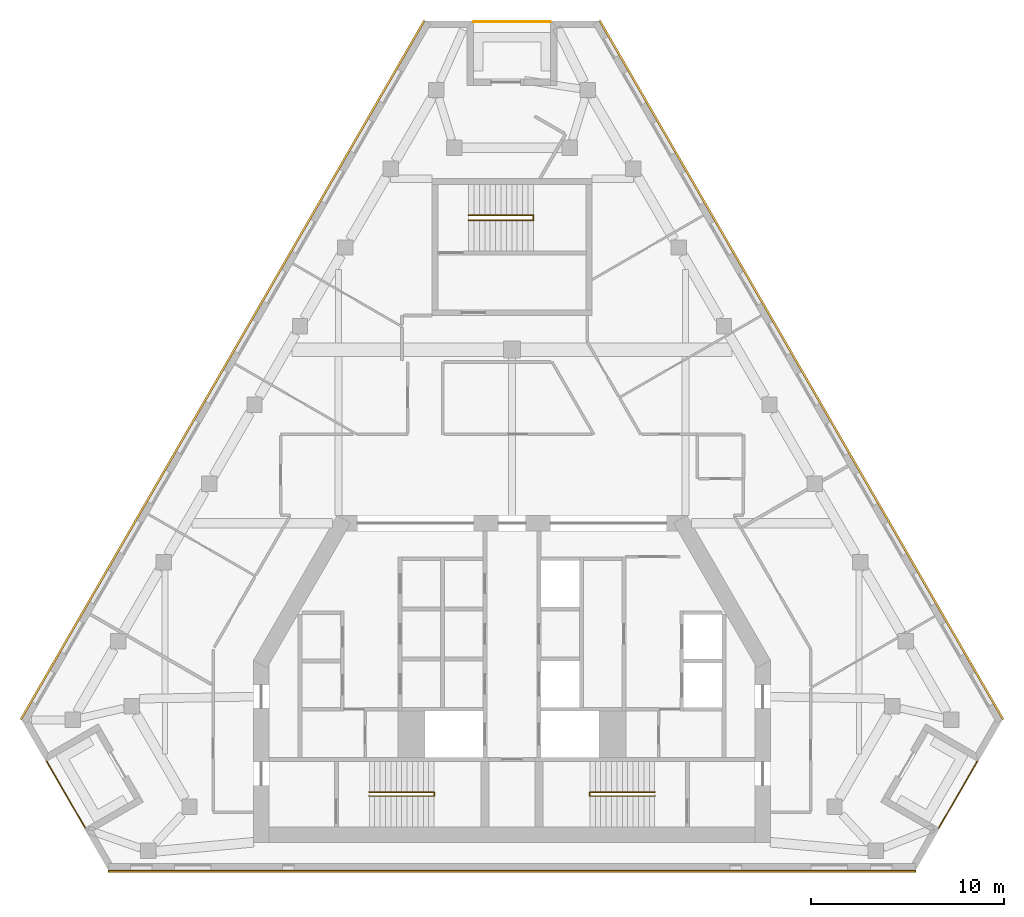
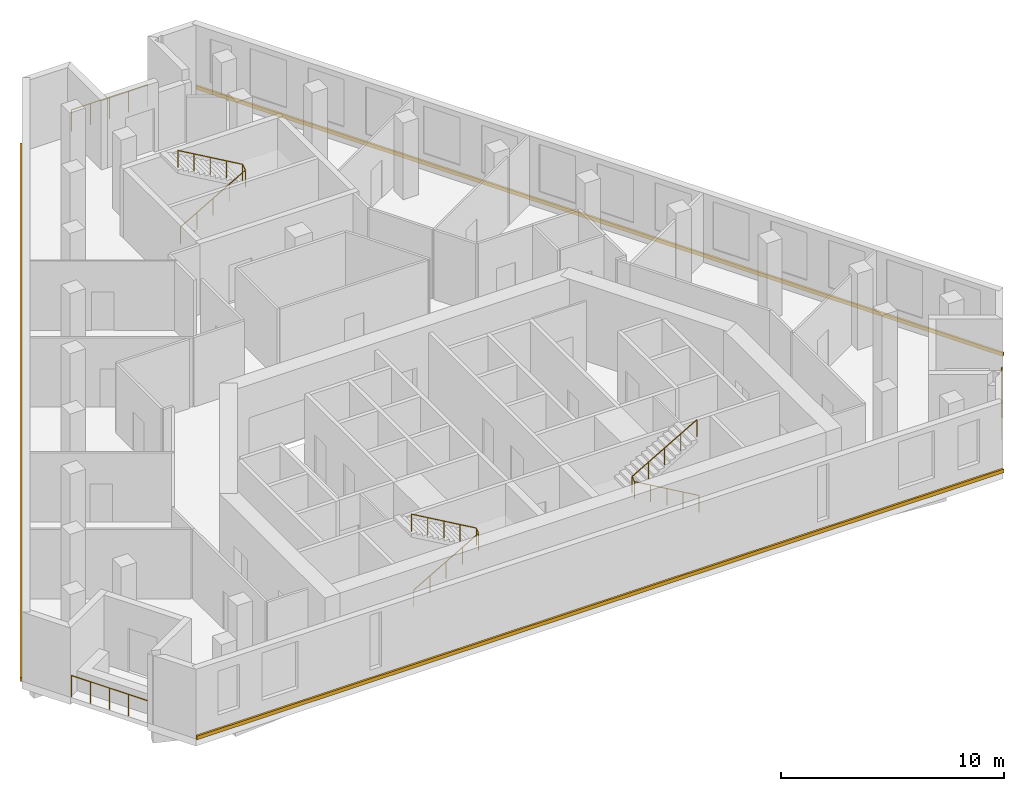
# One storey, part 9 of 9: 6 railings, 3 coverings.
"""IFC4 building model written with IfcOpenShell, lengths in metres."""

from ifc_helpers import new_model, si_unit, direction, frame, origin, origin_2d, place, context, subcontext, project, spatial, polyline, circle, outline, extrude, material, type_object, element, save


model = new_model("IFC4")

# Units and contexts
model_context = context("Model", 3, precision=1e-05, world=origin(), true_north=direction((0.0, 1.0)))
body_context = subcontext(model_context, "Body", "Model", "MODEL_VIEW")
ifc_project = project(units=[si_unit("LENGTHUNIT", "METRE"), si_unit("AREAUNIT", "SQUARE_METRE"), si_unit("VOLUMEUNIT", "CUBIC_METRE"), si_unit("PLANEANGLEUNIT", "RADIAN"), si_unit("MASSUNIT", "GRAM", prefix="KILO")], contexts=[model_context])

# Site, building, storey
site_placement = place(None, origin())
site = spatial("IfcSite", under=ifc_project, at=site_placement, CompositionType="ELEMENT")
building_placement = place(site_placement, origin())
building = spatial("IfcBuilding", under=site, at=building_placement, Name="Fogline Exchange Tower", CompositionType="ELEMENT")
storey_placement = place(building_placement, frame((0.0, 0.0, 283.5)))
storey = spatial("IfcBuildingStorey", under=building, at=storey_placement, Name="L64", CompositionType="ELEMENT", Elevation=283.5)

# Railings
ifc_material_1 = material(Name="Stainless steel 304", Category="steel")
railing_type_1 = type_object("IfcRailingType", Name="G1", PredefinedType="GUARDRAIL", material=ifc_material_1)
railing_1_placement = place(storey_placement, frame((-24.120849609375, 5.635986328125, 0.0)))
element("IfcRailing", 1, at=railing_1_placement, inside=storey, type_object=railing_type_1, Name="Balcony guard L64 SW", PredefinedType="GUARDRAIL", context=body_context, shape_type="SweptSolid", body=[
    extrude(circle(Radius=0.02392578125, at=origin_2d()), frame((0.0, 0.0, 1.17578125), z_axis=(0.500000102728, -0.866025344474, 0.0), x_axis=(0.866025344474, 0.500000102728, 0.0)), (0.0, 0.0, 1.0), 3.9580078125),
    extrude(circle(Radius=0.02099609375, at=origin_2d()), origin(), (0.0, 0.0, 1.0), 1.15185546875),
    extrude(circle(Radius=0.02099609375, at=origin_2d()), frame((0.49462890625, -0.85693359375, 0.0)), (0.0, 0.0, 1.0), 1.15185546875),
    extrude(circle(Radius=0.02099609375, at=origin_2d()), frame((0.989501953125, -1.7138671875, 0.0)), (0.0, 0.0, 1.0), 1.15185546875),
    extrude(circle(Radius=0.02099609375, at=origin_2d()), frame((1.484375, -2.57080078125, 0.0)), (0.0, 0.0, 1.0), 1.15185546875),
    extrude(circle(Radius=0.02099609375, at=origin_2d()), frame((1.97900390625, -3.427734375, 0.0)), (0.0, 0.0, 1.0), 1.15185546875),
])
railing_2_placement = place(storey_placement, frame((22.141845703125, 2.208251953125, 0.0)))
element("IfcRailing", 2, at=railing_2_placement, inside=storey, type_object=railing_type_1, Name="Balcony guard L64 SE", PredefinedType="GUARDRAIL", context=body_context, shape_type="SweptSolid", body=[
    extrude(circle(Radius=0.02392578125, at=origin_2d()), frame((0.0, 0.0, 1.17578125), z_axis=(0.500000102728, 0.866025344474, 0.0), x_axis=(-0.866025344474, 0.500000102728, 0.0)), (0.0, 0.0, 1.0), 3.9580078125),
    extrude(circle(Radius=0.02099609375, at=origin_2d()), origin(), (0.0, 0.0, 1.0), 1.15185546875),
    extrude(circle(Radius=0.02099609375, at=origin_2d()), frame((0.49462890625, 0.85693359375, 0.0)), (0.0, 0.0, 1.0), 1.15185546875),
    extrude(circle(Radius=0.02099609375, at=origin_2d()), frame((0.989501953125, 1.7138671875, 0.0)), (0.0, 0.0, 1.0), 1.15185546875),
    extrude(circle(Radius=0.02099609375, at=origin_2d()), frame((1.484375, 2.57080078125, 0.0)), (0.0, 0.0, 1.0), 1.15185546875),
    extrude(circle(Radius=0.02099609375, at=origin_2d()), frame((1.97900390625, 3.427734375, 0.0)), (0.0, 0.0, 1.0), 1.15185546875),
])
railing_3_placement = place(storey_placement, frame((1.97900390625, 43.98681640625, 0.0)))
element("IfcRailing", 3, at=railing_3_placement, inside=storey, type_object=railing_type_1, Name="Balcony guard L64 N", PredefinedType="GUARDRAIL", context=body_context, shape_type="SweptSolid", body=[
    extrude(circle(Radius=0.02392578125, at=origin_2d()), frame((0.0, 0.0, 1.17578125), z_axis=(-1.0, 0.0, 0.0), x_axis=(0.0, -1.0, 0.0)), (0.0, 0.0, 1.0), 3.9580078125),
    extrude(circle(Radius=0.02099609375, at=origin_2d()), origin(), (0.0, 0.0, 1.0), 1.15185546875),
    extrude(circle(Radius=0.02099609375, at=origin_2d()), frame((-0.989501953125, 0.0, 0.0)), (0.0, 0.0, 1.0), 1.15185546875),
    extrude(circle(Radius=0.02099609375, at=origin_2d()), frame((-1.97900390625, 0.0, 0.0)), (0.0, 0.0, 1.0), 1.15185546875),
    extrude(circle(Radius=0.02099609375, at=origin_2d()), frame((-2.968505859375, 0.0, 0.0)), (0.0, 0.0, 1.0), 1.15185546875),
    extrude(circle(Radius=0.02099609375, at=origin_2d()), frame((-3.9580078125, 0.0, 0.0)), (0.0, 0.0, 1.0), 1.15185546875),
])
ifc_material_2 = material(Name="Steel Q235B", Category="steel")
railing_type_2 = type_object("IfcRailingType", Name="RL-HR", PredefinedType="HANDRAIL", material=ifc_material_2)
railing_4_placement = place(storey_placement, frame((-7.39990234375, 3.85009765625, 0.16162109375)))
element("IfcRailing", 4, at=railing_4_placement, inside=storey, type_object=railing_type_2, Name="Handrail ST1", PredefinedType="HANDRAIL", context=body_context, shape_type="SweptSolid", body=[
    extrude(circle(Radius=0.02392578125, at=origin_2d()), frame((0.0, 0.0, 0.92578125), z_axis=(0.866175107563, 0.0, 0.499740615757), x_axis=(0.0, 1.0, 0.0)), (0.0, 0.0, 1.0), 3.87890625),
    extrude(circle(Radius=0.02392578125, at=origin_2d()), frame((3.35986328125, 0.0, 2.8642578125), z_axis=(0.0, 0.778173348306, 0.628049552174), x_axis=(-1.0, 0.0, 0.0)), (0.0, 0.0, 1.0), 0.2568359375),
    extrude(circle(Radius=0.02392578125, at=origin_2d()), frame((3.35986328125, 0.199951171875, 3.02587890625), z_axis=(-0.866175107563, 0.0, 0.499740615757), x_axis=(0.0, -1.0, 0.0)), (0.0, 0.0, 1.0), 3.87890625),
    extrude(circle(Radius=0.02099609375, at=origin_2d()), origin(), (0.0, 0.0, 1.0), 0.90185546875),
    extrude(circle(Radius=0.02099609375, at=origin_2d()), frame((0.83984375, 0.0, 0.484619140625)), (0.0, 0.0, 1.0), 0.90185546875),
    extrude(circle(Radius=0.02099609375, at=origin_2d()), frame((1.679931640625, 0.0, 0.96923828125)), (0.0, 0.0, 1.0), 0.90185546875),
    extrude(circle(Radius=0.02099609375, at=origin_2d()), frame((2.52001953125, 0.0, 1.453857421875)), (0.0, 0.0, 1.0), 0.90185546875),
    extrude(circle(Radius=0.02099609375, at=origin_2d()), frame((3.35986328125, 0.0, 1.9384765625)), (0.0, 0.0, 1.0), 0.90185546875),
    extrude(circle(Radius=0.02099609375, at=origin_2d()), frame((3.35986328125, 0.199951171875, 2.099853515625)), (0.0, 0.0, 1.0), 0.90185546875),
    extrude(circle(Radius=0.02099609375, at=origin_2d()), frame((2.52001953125, 0.199951171875, 2.58447265625)), (0.0, 0.0, 1.0), 0.90185546875),
    extrude(circle(Radius=0.02099609375, at=origin_2d()), frame((1.679931640625, 0.199951171875, 3.069091796875)), (0.0, 0.0, 1.0), 0.90185546875),
    extrude(circle(Radius=0.02099609375, at=origin_2d()), frame((0.83984375, 0.199951171875, 3.5537109375)), (0.0, 0.0, 1.0), 0.90185546875),
    extrude(circle(Radius=0.02099609375, at=origin_2d()), frame((0.0, 0.199951171875, 4.038330078125)), (0.0, 0.0, 1.0), 0.90185546875),
])
railing_5_placement = place(storey_placement, frame((7.39990234375, 3.85009765625, 0.16162109375)))
element("IfcRailing", 5, at=railing_5_placement, inside=storey, type_object=railing_type_2, Name="Handrail ST2", PredefinedType="HANDRAIL", context=body_context, shape_type="SweptSolid", body=[
    extrude(circle(Radius=0.02392578125, at=origin_2d()), frame((0.0, 0.0, 0.92578125), z_axis=(-0.866175107563, 0.0, 0.499740615757), x_axis=(0.0, -1.0, 0.0)), (0.0, 0.0, 1.0), 3.87890625),
    extrude(circle(Radius=0.02392578125, at=origin_2d()), frame((-3.35986328125, 0.0, 2.8642578125), z_axis=(0.0, 0.778173348306, 0.628049552174), x_axis=(-1.0, 0.0, 0.0)), (0.0, 0.0, 1.0), 0.2568359375),
    extrude(circle(Radius=0.02392578125, at=origin_2d()), frame((-3.35986328125, 0.199951171875, 3.02587890625), z_axis=(0.866175107563, 0.0, 0.499740615757), x_axis=(0.0, 1.0, 0.0)), (0.0, 0.0, 1.0), 3.87890625),
    extrude(circle(Radius=0.02099609375, at=origin_2d()), origin(), (0.0, 0.0, 1.0), 0.90185546875),
    extrude(circle(Radius=0.02099609375, at=origin_2d()), frame((-0.83984375, 0.0, 0.484619140625)), (0.0, 0.0, 1.0), 0.90185546875),
    extrude(circle(Radius=0.02099609375, at=origin_2d()), frame((-1.679931640625, 0.0, 0.96923828125)), (0.0, 0.0, 1.0), 0.90185546875),
    extrude(circle(Radius=0.02099609375, at=origin_2d()), frame((-2.52001953125, 0.0, 1.453857421875)), (0.0, 0.0, 1.0), 0.90185546875),
    extrude(circle(Radius=0.02099609375, at=origin_2d()), frame((-3.35986328125, 0.0, 1.9384765625)), (0.0, 0.0, 1.0), 0.90185546875),
    extrude(circle(Radius=0.02099609375, at=origin_2d()), frame((-3.35986328125, 0.199951171875, 2.099853515625)), (0.0, 0.0, 1.0), 0.90185546875),
    extrude(circle(Radius=0.02099609375, at=origin_2d()), frame((-2.52001953125, 0.199951171875, 2.58447265625)), (0.0, 0.0, 1.0), 0.90185546875),
    extrude(circle(Radius=0.02099609375, at=origin_2d()), frame((-1.679931640625, 0.199951171875, 3.069091796875)), (0.0, 0.0, 1.0), 0.90185546875),
    extrude(circle(Radius=0.02099609375, at=origin_2d()), frame((-0.83984375, 0.199951171875, 3.5537109375)), (0.0, 0.0, 1.0), 0.90185546875),
    extrude(circle(Radius=0.02099609375, at=origin_2d()), frame((0.0, 0.199951171875, 4.038330078125)), (0.0, 0.0, 1.0), 0.90185546875),
])
railing_6_placement = place(storey_placement, frame((-2.25, 33.70703125, 0.16162109375)))
element("IfcRailing", 6, at=railing_6_placement, inside=storey, type_object=railing_type_2, Name="Handrail ST3", PredefinedType="HANDRAIL", context=body_context, shape_type="SweptSolid", body=[
    extrude(circle(Radius=0.02392578125, at=origin_2d()), frame((0.0, 0.0, 0.92578125), z_axis=(0.866190824863, 0.0, 0.499713372768), x_axis=(0.0, 1.0, 0.0)), (0.0, 0.0, 1.0), 3.879150390625),
    extrude(circle(Radius=0.02392578125, at=origin_2d()), frame((3.360107421875, 0.0, 2.8642578125), z_axis=(0.0, 0.840163997081, 0.542332423897), x_axis=(-1.0, 0.0, 0.0)), (0.0, 0.0, 1.0), 0.297607421875),
    extrude(circle(Radius=0.02392578125, at=origin_2d()), frame((3.360107421875, 0.25, 3.02587890625), z_axis=(-0.866190824863, 0.0, 0.499713372768), x_axis=(0.0, -1.0, 0.0)), (0.0, 0.0, 1.0), 3.879150390625),
    extrude(circle(Radius=0.02099609375, at=origin_2d()), origin(), (0.0, 0.0, 1.0), 0.90185546875),
    extrude(circle(Radius=0.02099609375, at=origin_2d()), frame((0.840087890625, 0.0, 0.484619140625)), (0.0, 0.0, 1.0), 0.90185546875),
    extrude(circle(Radius=0.02099609375, at=origin_2d()), frame((1.68017578125, 0.0, 0.96923828125)), (0.0, 0.0, 1.0), 0.90185546875),
    extrude(circle(Radius=0.02099609375, at=origin_2d()), frame((2.52001953125, 0.0, 1.453857421875)), (0.0, 0.0, 1.0), 0.90185546875),
    extrude(circle(Radius=0.02099609375, at=origin_2d()), frame((3.360107421875, 0.0, 1.9384765625)), (0.0, 0.0, 1.0), 0.90185546875),
    extrude(circle(Radius=0.02099609375, at=origin_2d()), frame((3.360107421875, 0.25, 2.099853515625)), (0.0, 0.0, 1.0), 0.90185546875),
    extrude(circle(Radius=0.02099609375, at=origin_2d()), frame((2.52001953125, 0.25, 2.58447265625)), (0.0, 0.0, 1.0), 0.90185546875),
    extrude(circle(Radius=0.02099609375, at=origin_2d()), frame((1.68017578125, 0.25, 3.069091796875)), (0.0, 0.0, 1.0), 0.90185546875),
    extrude(circle(Radius=0.02099609375, at=origin_2d()), frame((0.840087890625, 0.25, 3.5537109375)), (0.0, 0.0, 1.0), 0.90185546875),
    extrude(circle(Radius=0.02099609375, at=origin_2d()), frame((0.0, 0.25, 4.038330078125)), (0.0, 0.0, 1.0), 0.90185546875),
])

# Coverings
ifc_material_3 = material(Name="Brick masonry", Category="masonry")
covering_type = type_object("IfcCoveringType", Name="SB1", PredefinedType="CLADDING", material=ifc_material_3)
covering_1_placement = place(storey_placement, origin())
element("IfcCovering", 7, at=covering_1_placement, inside=storey, type_object=covering_type, Name="Stringcourse band L64 S", PredefinedType="CLADDING", context=body_context, shape_type="SweptSolid", body=[
    extrude(outline(polyline([(-20.924560546875, 0.0), (-20.924560546875, -0.10009765625), (20.924560546875, -0.10009765625), (20.924560546875, 0.0), (-20.924560546875, 0.0)])), origin(), (0.0, 0.0, 1.0), 0.199951171875),
])
covering_2_placement = place(storey_placement, origin())
element("IfcCovering", 8, at=covering_2_placement, inside=storey, type_object=covering_type, Name="Stringcourse band L64 E", PredefinedType="CLADDING", context=body_context, shape_type="SweptSolid", body=[
    extrude(outline(polyline([(25.424560546875, 7.794189453125), (25.51123046875, 7.84423828125), (4.586669921875, 44.086669921875), (4.5, 44.03662109375), (25.424560546875, 7.794189453125)])), origin(), (0.0, 0.0, 1.0), 0.199951171875),
])
covering_3_placement = place(storey_placement, origin())
element("IfcCovering", 9, at=covering_3_placement, inside=storey, type_object=covering_type, Name="Stringcourse band L64 W", PredefinedType="CLADDING", context=body_context, shape_type="SweptSolid", body=[
    extrude(outline(polyline([(-4.5, 44.03662109375), (-4.586669921875, 44.086669921875), (-25.51123046875, 7.84423828125), (-25.424560546875, 7.794189453125), (-4.5, 44.03662109375)])), origin(), (0.0, 0.0, 1.0), 0.199951171875),
])

save(model, "model.ifc")
